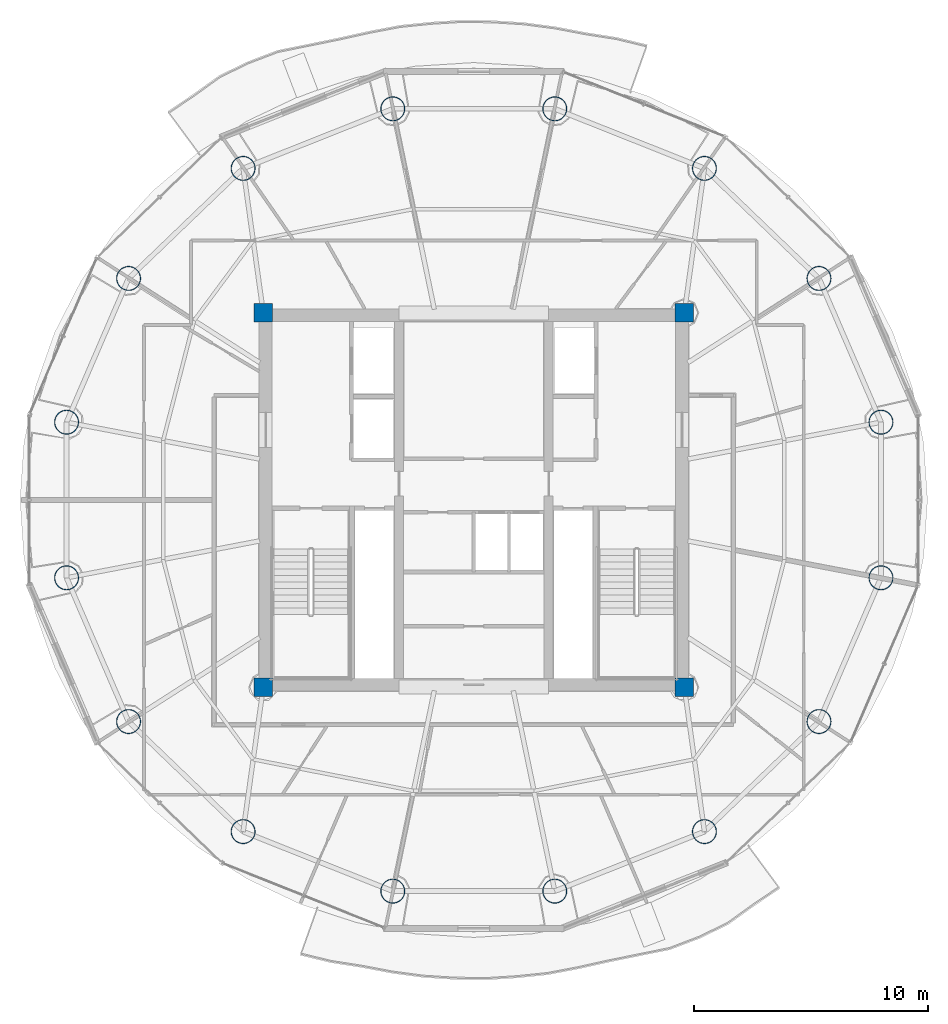
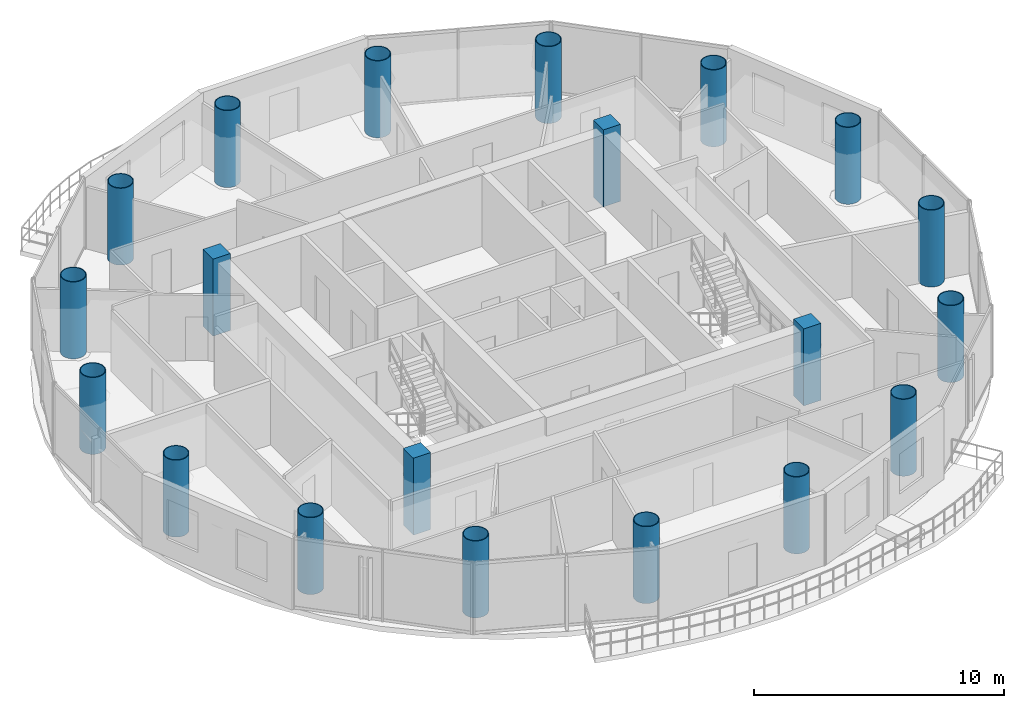
# One storey, part 1 of 24: 20 columns.
"""IFC4 building model written with IfcOpenShell, lengths in metres."""

from ifc_helpers import new_model, si_unit, direction, frame, origin, origin_2d, place, context, subcontext, project, spatial, rectangle, hollow_circle, extrude, material, material_profile, profile_set, type_object, element, save


model = new_model("IFC4")

# Units and contexts
model_context = context("Model", 3, precision=1e-05, world=origin(), true_north=direction((-0.2419218956, 0.970295726276)))
body_context = subcontext(model_context, "Body", "Model", "MODEL_VIEW")
ifc_project = project(units=[si_unit("LENGTHUNIT", "METRE"), si_unit("AREAUNIT", "SQUARE_METRE"), si_unit("VOLUMEUNIT", "CUBIC_METRE"), si_unit("PLANEANGLEUNIT", "RADIAN"), si_unit("MASSUNIT", "GRAM", prefix="KILO")], contexts=[model_context])

# Site, building, storey
site_placement = place(None, origin())
site = spatial("IfcSite", under=ifc_project, at=site_placement, CompositionType="ELEMENT")
building_placement = place(site_placement, origin())
building = spatial("IfcBuilding", under=site, at=building_placement, Name="Cobrevalo Terracotta Tower", CompositionType="ELEMENT")
storey_placement = place(building_placement, frame((0.0, 0.0, 293.199951171875)))
storey = spatial("IfcBuildingStorey", under=building, at=storey_placement, Name="L77", CompositionType="ELEMENT", Elevation=293.199951171875)

# Columns
ifc_material_1 = material(Name="Steel S355", Category="steel")
ifc_material_profile_1 = material_profile(ifc_material_1, hollow_circle(Radius=0.52490234375, WallThickness=0.034912109375, at=origin_2d()), Name="CHS 1050x35")
ifc_profile_set_1 = profile_set([ifc_material_profile_1], Name="Steel S355")
column_type_1 = type_object("IfcColumnType", Name="Structural Column CHS 1050x35 (Steel S355)", PredefinedType="COLUMN", material=ifc_profile_set_1)
for number, where, z_axis, x_axis, name in (
    (1, (55.408935546875, 30.126220703125, 0.0), (0.0, 0.0, 1.0), (1.0, 0.0, 0.0), "L77 composite megacolumn MC01"),
    (2, (52.758544921875, 36.2724609375, 0.0), (0.0, 0.0, 1.0), (1.0, 0.0, 0.0), "L77 composite megacolumn MC02"),
    (3, (47.861328125, 40.9765625, 0.0), (0.0, 0.0, 1.0), (1.0, 0.0, 0.0), "L77 composite megacolumn MC03"),
    (4, (41.462890625, 43.5224609375, 0.0), (0.0, 0.0, 1.0), (1.0, 0.0, 0.0), "L77 composite megacolumn MC04"),
    (5, (34.537109375, 43.5224609375, 0.0), (0.0, 0.0, 1.0), (1.0, 0.0, 0.0), "L77 composite megacolumn MC05"),
    (6, (28.138671875, 40.9765625, 0.0), (0.0, 0.0, 1.0), (1.0, 0.0, 0.0), "L77 composite megacolumn MC06"),
    (7, (23.241455078125, 36.2724609375, 0.0), (0.0, 0.0, 1.0), (1.0, 0.0, 0.0), "L77 composite megacolumn MC07"),
    (8, (20.591064453125, 30.126220703125, 0.0), (0.0, 0.0, 1.0), (1.0, 0.0, 0.0), "L77 composite megacolumn MC08"),
    (9, (20.591064453125, 23.4736328125, 0.0), (0.0, 0.0, 1.0), (1.0, 0.0, 0.0), "L77 composite megacolumn MC09"),
    (10, (23.241455078125, 17.32763671875, 0.0), (0.0, 0.0, 1.0), (1.0, 0.0, 0.0), "L77 composite megacolumn MC10"),
    (11, (28.138671875, 12.62353515625, 0.0), (0.0, 0.0, 1.0), (1.0, 0.0, 0.0), "L77 composite megacolumn MC11"),
    (12, (34.537109375, 10.07763671875, 0.0), (0.0, 0.0, 1.0), (1.0, 0.0, 0.0), "L77 composite megacolumn MC12"),
    (13, (41.462890625, 10.07763671875, 0.0), (0.0, 0.0, 1.0), (1.0, 0.0, 0.0), "L77 composite megacolumn MC13"),
    (14, (47.861328125, 12.62353515625, 0.0), (0.0, 0.0, 1.0), (1.0, 0.0, 0.0), "L77 composite megacolumn MC14"),
    (15, (52.758544921875, 17.32763671875, 0.0), (0.0, 0.0, 1.0), (1.0, 0.0, 0.0), "L77 composite megacolumn MC15"),
    (16, (55.408935546875, 23.4736328125, 0.0), (0.0, 0.0, 1.0), (1.0, 0.0, 0.0), "L77 composite megacolumn MC16"),
):
    element("IfcColumn", number, at=place(storey_placement, frame(where, z_axis=z_axis, x_axis=x_axis)), inside=storey, type_object=column_type_1, Name=name, PredefinedType="COLUMN", context=body_context, shape_type="SweptSolid", body=[
        extrude(hollow_circle(Radius=0.52490234375, WallThickness=0.034912109375, at=origin_2d()), origin(), (0.0, 0.0, 1.0), 3.75),
    ])
ifc_material_2 = material(Name="Concrete C50", Category="concrete")
ifc_material_profile_2 = material_profile(ifc_material_2, rectangle(XDim=0.800048828125, YDim=0.800048828125, at=origin_2d()), Name="RC COL 800x800")
ifc_profile_set_2 = profile_set([ifc_material_profile_2], Name="Concrete C50")
column_type_2 = type_object("IfcColumnType", Name="Structural Column RC COL 800x800 (Concrete C50)", PredefinedType="COLUMN", material=ifc_profile_set_2)
for number, where, z_axis, x_axis, name in (
    (17, (29.0, 18.800048828125, 0.0), (0.0, 0.0, 1.0), (1.0, 0.0, 0.0), "L77 core corner column CC1"),
    (18, (47.0, 18.800048828125, 0.0), (0.0, 0.0, 1.0), (1.0, 0.0, 0.0), "L77 core corner column CC2"),
    (19, (47.0, 34.800048828125, 0.0), (0.0, 0.0, 1.0), (1.0, 0.0, 0.0), "L77 core corner column CC3"),
    (20, (29.0, 34.800048828125, 0.0), (0.0, 0.0, 1.0), (1.0, 0.0, 0.0), "L77 core corner column CC4"),
):
    element("IfcColumn", number, at=place(storey_placement, frame(where, z_axis=z_axis, x_axis=x_axis)), inside=storey, type_object=column_type_2, Name=name, PredefinedType="COLUMN", context=body_context, shape_type="SweptSolid", body=[
        extrude(rectangle(XDim=0.800048828125, YDim=0.800048828125, at=origin_2d()), origin(), (0.0, 0.0, 1.0), 3.75),
    ])

save(model, "model.ifc")
